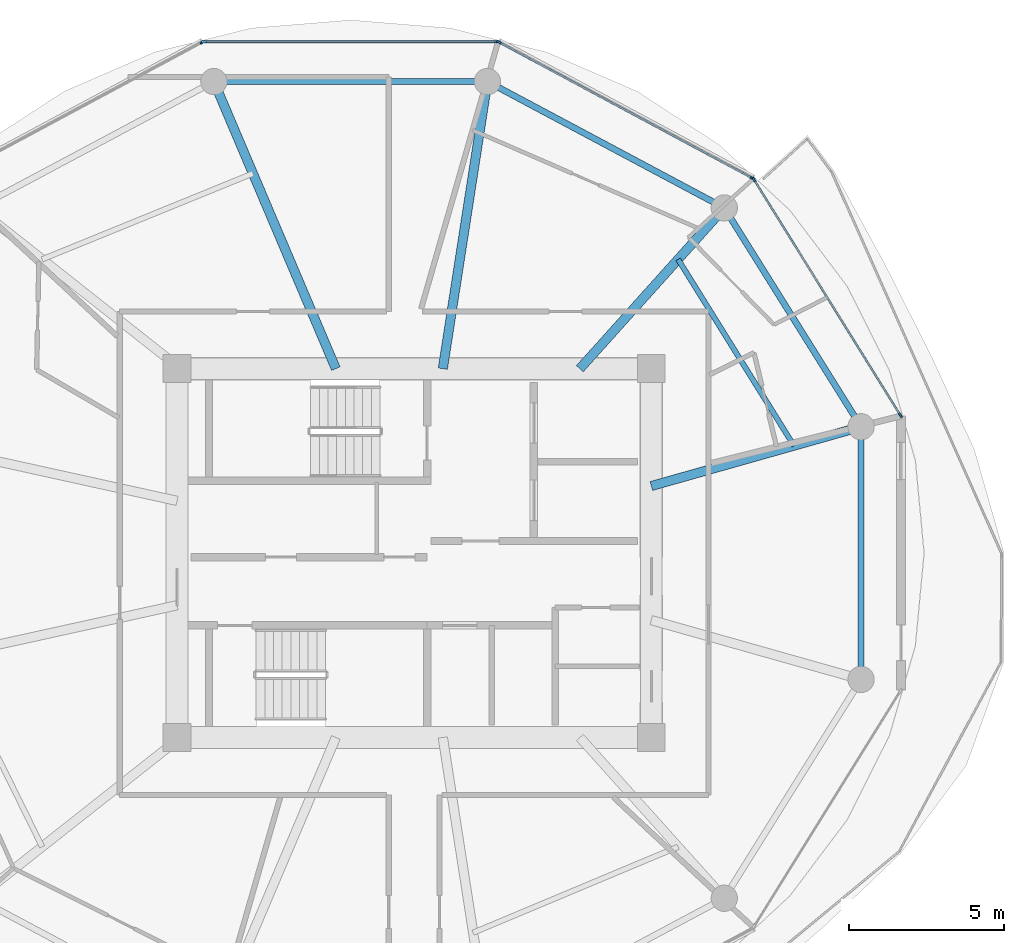
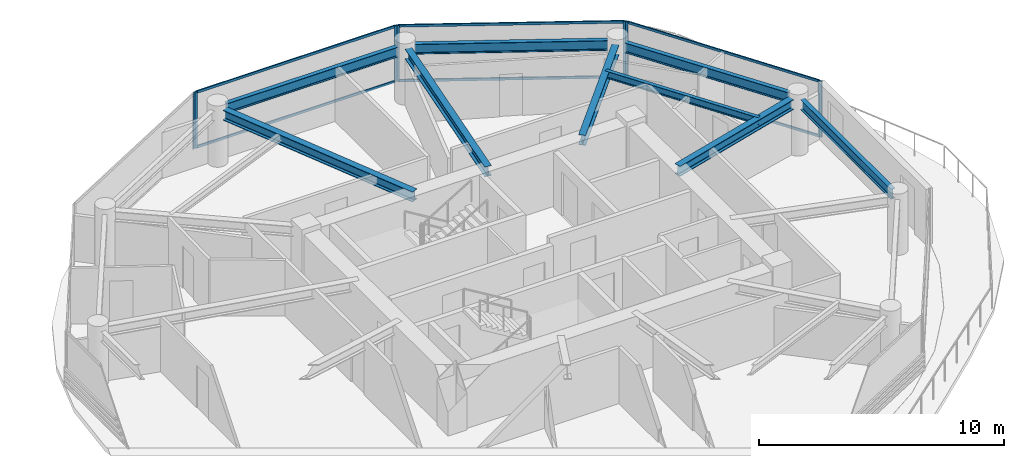
# One storey, part 11 of 22: 13 members, 9 beams, 4 elements without a shape of their own.
"""IFC4 building model written with IfcOpenShell, lengths in metres."""

from ifc_helpers import new_model, si_unit, direction, frame, origin, origin_2d, place, context, subcontext, project, spatial, rectangle, i_section, extrude, source, transform, mapped, material, layer, layer_set, material_profile, profile_set, type_object, type_shapes, element, aggregate, save


model = new_model("IFC4")

# Units and contexts
model_context = context("Model", 3, precision=1e-05, world=origin(), true_north=direction((0.0, 1.0)))
body_context = subcontext(model_context, "Body", "Model", "MODEL_VIEW")
ifc_project = project(units=[si_unit("LENGTHUNIT", "METRE"), si_unit("AREAUNIT", "SQUARE_METRE"), si_unit("VOLUMEUNIT", "CUBIC_METRE"), si_unit("PLANEANGLEUNIT", "RADIAN"), si_unit("MASSUNIT", "GRAM", prefix="KILO")], contexts=[model_context])

# Site, building, storey
site_placement = place(None, origin())
site = spatial("IfcSite", under=ifc_project, at=site_placement, CompositionType="ELEMENT")
building_placement = place(site_placement, origin())
building = spatial("IfcBuilding", under=site, at=building_placement, Name="Norrkilde Senior Care Towers", CompositionType="ELEMENT")
storey_placement = place(building_placement, frame((0.0, 0.0, 96.25)))
storey = spatial("IfcBuildingStorey", under=building, at=storey_placement, Name="L29", CompositionType="ELEMENT", Elevation=96.25)

# Beams
ifc_material_1 = material(Name="Steel S355", Category="steel")
ifc_material_profile_1 = material_profile(ifc_material_1, i_section(OverallWidth=0.199951171875, OverallDepth=0.5, WebThickness=0.01025390625, FlangeThickness=0.01611328125, FilletRadius=0.02099609375, at=origin_2d()), Name="IPE 500")
ifc_profile_set_1 = profile_set([ifc_material_profile_1], Name="Steel S355")
beam_type_1 = type_object("IfcBeamType", Name="Perimeter Ring Spandrel Z2 IPE500", PredefinedType="SPANDREL", material=ifc_profile_set_1)
shared_shape_1 = source(origin(), body_context, "Body", "SweptSolid", [
    extrude(i_section(OverallWidth=0.199951171875, OverallDepth=0.5, WebThickness=0.01025390625, FlangeThickness=0.01611328125, FilletRadius=0.02099609375, at=origin_2d()), origin(), (0.0, 0.0, 1.0), 7.892333984375),
])
beam_1_placement = place(storey_placement, frame((37.66650390625, 11.318115234375, 2.5400390625), z_axis=(-0.882350372282, 0.47059305194, 0.0), x_axis=(-0.47059305194, -0.882350372282, 0.0)))
element("IfcBeam", 1, at=beam_1_placement, inside=storey, type_object=beam_type_1, Name="L29 Drum E Perimeter Spandrel 02", PredefinedType="SPANDREL", context=body_context, shape_type="MappedRepresentation", body=[
    mapped(shared_shape_1, transform((0.0, 0.0, 0.0), x_axis=(1.0, 0.0, 0.0), y_axis=(0.0, 1.0, 0.0), z_axis=(0.0, 0.0, 1.0), scale=1.0)),
])
shared_shape_2 = source(origin(), body_context, "Body", "SweptSolid", [
    extrude(i_section(OverallWidth=0.199951171875, OverallDepth=0.5, WebThickness=0.01025390625, FlangeThickness=0.01611328125, FilletRadius=0.02099609375, at=origin_2d()), origin(), (0.0, 0.0, 1.0), 8.0556640625),
])
beam_2_placement = place(storey_placement, frame((29.977783203125, 15.21337890625, 2.5400390625), z_axis=(-1.0, 0.0, 0.0), x_axis=(0.0, -1.0, 0.0)))
element("IfcBeam", 2, at=beam_2_placement, inside=storey, type_object=beam_type_1, Name="L29 Drum E Perimeter Spandrel 03", PredefinedType="SPANDREL", context=body_context, shape_type="MappedRepresentation", body=[
    mapped(shared_shape_2, transform((0.0, 0.0, 0.0), x_axis=(1.0, 0.0, 0.0), y_axis=(0.0, 1.0, 0.0), z_axis=(0.0, 0.0, 1.0), scale=1.0)),
])
ifc_material_profile_2 = material_profile(ifc_material_1, i_section(OverallWidth=0.300048828125, OverallDepth=0.5, WebThickness=0.014404296875, FlangeThickness=0.028076171875, FilletRadius=0.027099609375, at=origin_2d()), Name="HEB 500")
ifc_profile_set_2 = profile_set([ifc_material_profile_2], Name="Steel S355")
beam_type_2 = type_object("IfcBeamType", Name="Radial Floor Beam Z2 HEB500", PredefinedType="BEAM", material=ifc_profile_set_2)
shared_shape_3 = source(origin(), body_context, "Body", "SweptSolid", [
    extrude(i_section(OverallWidth=0.300048828125, OverallDepth=0.5, WebThickness=0.014404296875, FlangeThickness=0.028076171875, FilletRadius=0.027099609375, at=origin_2d()), origin(), (0.0, 0.0, 1.0), 9.679443359375),
])
beam_3_placement = place(storey_placement, frame((25.472412109375, 5.949951171875, 2.5400390625), z_axis=(-0.390998033479, 0.920391513333, 0.0), x_axis=(-0.920391513333, -0.390998033479, 0.0)))
element("IfcBeam", 3, at=beam_3_placement, inside=storey, type_object=beam_type_2, Name="L29 Drum E Radial Floor Beam 04", PredefinedType="BEAM", context=body_context, shape_type="MappedRepresentation", body=[
    mapped(shared_shape_3, transform((0.0, 0.0, 0.0), x_axis=(1.0, 0.0, 0.0), y_axis=(0.0, 1.0, 0.0), z_axis=(0.0, 0.0, 1.0), scale=1.0)),
])
shared_shape_4 = source(origin(), body_context, "Body", "SweptSolid", [
    extrude(i_section(OverallWidth=0.300048828125, OverallDepth=0.5, WebThickness=0.014404296875, FlangeThickness=0.028076171875, FilletRadius=0.027099609375, at=origin_2d()), origin(), (0.0, 0.0, 1.0), 8.989501953125),
])
beam_4_placement = place(storey_placement, frame((28.924072265625, 5.949951171875, 2.5400390625), z_axis=(0.153471298636, 0.988153105796, 0.0), x_axis=(-0.988153105796, 0.153471298636, 0.0)))
element("IfcBeam", 4, at=beam_4_placement, inside=storey, type_object=beam_type_2, Name="L29 Drum E Radial Floor Beam 03", PredefinedType="BEAM", context=body_context, shape_type="MappedRepresentation", body=[
    mapped(shared_shape_4, transform((0.0, 0.0, 0.0), x_axis=(1.0, 0.0, 0.0), y_axis=(0.0, 1.0, 0.0), z_axis=(0.0, 0.0, 1.0), scale=1.0)),
])
shared_shape_5 = source(origin(), body_context, "Body", "SweptSolid", [
    extrude(i_section(OverallWidth=0.199951171875, OverallDepth=0.5, WebThickness=0.01025390625, FlangeThickness=0.01611328125, FilletRadius=0.02099609375, at=origin_2d()), origin(), (0.0, 0.0, 1.0), 7.556396484375),
])
beam_5_placement = place(storey_placement, frame((42.215087890625, 4.40283203125, 2.5400390625), z_axis=(-0.530004748437, 0.847994673706, 0.0), x_axis=(-0.847994673706, -0.530004748437, 0.0)))
element("IfcBeam", 5, at=beam_5_placement, inside=storey, type_object=beam_type_1, Name="L29 Drum E Perimeter Spandrel 01", PredefinedType="SPANDREL", context=body_context, shape_type="MappedRepresentation", body=[
    mapped(shared_shape_5, transform((0.0, 0.0, 0.0), x_axis=(1.0, 0.0, 0.0), y_axis=(0.0, 1.0, 0.0), z_axis=(0.0, 0.0, 1.0), scale=1.0)),
])
shared_shape_6 = source(origin(), body_context, "Body", "SweptSolid", [
    extrude(i_section(OverallWidth=0.300048828125, OverallDepth=0.5, WebThickness=0.014404296875, FlangeThickness=0.028076171875, FilletRadius=0.027099609375, at=origin_2d()), origin(), (0.0, 0.0, 1.0), 6.587890625),
])
beam_6_placement = place(storey_placement, frame((33.345947265625, 5.949951171875, 2.5400390625), z_axis=(0.668315438605, 0.743877997068, 0.0), x_axis=(-0.743877997068, 0.668315438605, 0.0)))
element("IfcBeam", 6, at=beam_6_placement, inside=storey, type_object=beam_type_2, Name="L29 Drum E Radial Floor Beam 02", PredefinedType="BEAM", context=body_context, shape_type="MappedRepresentation", body=[
    mapped(shared_shape_6, transform((0.0, 0.0, 0.0), x_axis=(1.0, 0.0, 0.0), y_axis=(0.0, 1.0, 0.0), z_axis=(0.0, 0.0, 1.0), scale=1.0)),
])
shared_shape_7 = source(origin(), body_context, "Body", "SweptSolid", [
    extrude(i_section(OverallWidth=0.199951171875, OverallDepth=0.5, WebThickness=0.01025390625, FlangeThickness=0.01611328125, FilletRadius=0.02099609375, at=origin_2d()), origin(), (0.0, 0.0, 1.0), 7.3828125),
])
type_shapes(beam_type_1, [shared_shape_1, shared_shape_2, shared_shape_5, shared_shape_7])
beam_7_placement = place(storey_placement, frame((42.4189453125, -3.69140625, 2.5400390625), z_axis=(0.0, 1.0, 0.0), x_axis=(-1.0, 0.0, 0.0)))
element("IfcBeam", 7, at=beam_7_placement, inside=storey, type_object=beam_type_1, Name="L29 Drum E Perimeter Spandrel 12", PredefinedType="SPANDREL", context=body_context, shape_type="MappedRepresentation", body=[
    mapped(shared_shape_7, transform((0.0, 0.0, 0.0), x_axis=(1.0, 0.0, 0.0), y_axis=(0.0, 1.0, 0.0), z_axis=(0.0, 0.0, 1.0), scale=1.0)),
])
shared_shape_8 = source(origin(), body_context, "Body", "SweptSolid", [
    extrude(i_section(OverallWidth=0.300048828125, OverallDepth=0.5, WebThickness=0.014404296875, FlangeThickness=0.028076171875, FilletRadius=0.027099609375, at=origin_2d()), origin(), (0.0, 0.0, 1.0), 6.6494140625),
])
type_shapes(beam_type_2, [shared_shape_3, shared_shape_4, shared_shape_6, shared_shape_8])
beam_8_placement = place(storey_placement, frame((35.64990234375, 2.162841796875, 2.5400390625), z_axis=(0.962289138357, 0.27202870106, 0.0), x_axis=(-0.27202870106, 0.962289138357, 0.0)))
element("IfcBeam", 8, at=beam_8_placement, inside=storey, type_object=beam_type_2, Name="L29 Drum E Radial Floor Beam 01", PredefinedType="BEAM", context=body_context, shape_type="MappedRepresentation", body=[
    mapped(shared_shape_8, transform((0.0, 0.0, 0.0), x_axis=(1.0, 0.0, 0.0), y_axis=(0.0, 1.0, 0.0), z_axis=(0.0, 0.0, 1.0), scale=1.0)),
])
ifc_material_profile_3 = material_profile(ifc_material_1, i_section(OverallWidth=0.169921875, OverallDepth=0.360107421875, WebThickness=0.008056640625, FlangeThickness=0.0126953125, FilletRadius=0.01806640625, at=origin_2d()), Name="IPE 360")
ifc_profile_set_3 = profile_set([ifc_material_profile_3], Name="Steel S355")
beam_type_3 = type_object("IfcBeamType", Name="Secondary Floor Joist IPE360", PredefinedType="JOIST", material=ifc_profile_set_3)
shared_shape_9 = source(origin(), body_context, "Body", "SweptSolid", [
    extrude(i_section(OverallWidth=0.169921875, OverallDepth=0.360107421875, WebThickness=0.008056640625, FlangeThickness=0.0126953125, FilletRadius=0.01806640625, at=origin_2d()), origin(), (0.0, 0.0, 1.0), 7.080078125),
])
type_shapes(beam_type_3, [shared_shape_9])
beam_9_placement = place(storey_placement, frame((40.2529296875, 3.464111328125, 2.610107421875), z_axis=(-0.527961009189, 0.849268610497, 0.0), x_axis=(-0.849268610497, -0.527961009189, 0.0)))
element("IfcBeam", 9, at=beam_9_placement, inside=storey, type_object=beam_type_3, Name="L29 Drum E Secondary Floor Joist 1", PredefinedType="JOIST", context=body_context, shape_type="MappedRepresentation", body=[
    mapped(shared_shape_9, transform((0.0, 0.0, 0.0), x_axis=(1.0, 0.0, 0.0), y_axis=(0.0, 1.0, 0.0), z_axis=(0.0, 0.0, 1.0), scale=1.0)),
])

# Curtain wall, members
ifc_material_2 = material(Name="Triple Low-E Insulated Glazing", Category="glass")
ifc_layer = layer(ifc_material_2, 0.195068359375)
ifc_layer_set = layer_set([ifc_layer], Name="Triple Low-E Insulated Glazing")
curtain_wall_type = type_object("IfcCurtainWallType", Name="CW3 Zone 2 Assisted Living Curtain Wall", PredefinedType="NOTDEFINED", material=ifc_layer_set)
curtain_wall_1_placement = place(storey_placement, origin())
curtain_wall_1 = element("IfcCurtainWall", 10, at=curtain_wall_1_placement, inside=storey, type_object=curtain_wall_type, Name="L29 Drum E Curtain Wall 00", PredefinedType="NOTDEFINED")
ifc_material_3 = material(Name="Anodised Aluminium", Category="aluminium")
ifc_material_profile_4 = material_profile(ifc_material_3, rectangle(XDim=0.06494140625, YDim=0.159912109375, at=origin_2d()), Name="ALU MULL 65x160")
ifc_profile_set_4 = profile_set([ifc_material_profile_4], Name="Anodised Aluminium")
member_type_1 = type_object("IfcMemberType", Name="Curtain Wall Mullion Z1-Z2 65x160", PredefinedType="MULLION", material=ifc_profile_set_4)
shared_shape_10 = source(origin(), body_context, "Body", "SweptSolid", [
    extrude(rectangle(XDim=0.06494140625, YDim=0.159912109375, at=origin_2d()), origin(), (0.0, 0.0, 1.0), 2.7900390625),
])
type_shapes(member_type_1, [shared_shape_10])
member_1_placement = place(storey_placement, frame((38.9638671875, 12.0498046875, 0.0), z_axis=(0.0, 0.0, 1.0), x_axis=(0.849410171862, 0.527733228002, 0.0)))
member_1 = element("IfcMember", 11, at=member_1_placement, type_object=member_type_1, Name="CW-3 mullion 1", PredefinedType="MULLION", context=body_context, shape_type="MappedRepresentation", body=[
    mapped(shared_shape_10, transform((0.0, 0.0, 0.0), x_axis=(1.0, 0.0, 0.0), y_axis=(0.0, 1.0, 0.0), z_axis=(0.0, 0.0, 1.0), scale=1.0)),
])
member_2_placement = place(storey_placement, frame((43.6865234375, 4.4482421875, 0.0), z_axis=(0.0, 0.0, 1.0), x_axis=(0.849410171862, 0.527733228002, 0.0)))
member_2 = element("IfcMember", 12, at=member_2_placement, type_object=member_type_1, Name="CW-3 mullion 2", PredefinedType="MULLION", context=body_context, shape_type="MappedRepresentation", body=[
    mapped(shared_shape_10, transform((0.0, 0.0, 0.0), x_axis=(1.0, 0.0, 0.0), y_axis=(0.0, 1.0, 0.0), z_axis=(0.0, 0.0, 1.0), scale=1.0)),
])

curtain_wall_2_placement = place(storey_placement, origin())
curtain_wall_2 = element("IfcCurtainWall", 13, at=curtain_wall_2_placement, inside=storey, type_object=curtain_wall_type, Name="L29 Drum E Curtain Wall 01", PredefinedType="NOTDEFINED")
member_3_placement = place(storey_placement, frame((30.73583984375, 16.482666015625, 0.0), z_axis=(0.0, 0.0, 1.0), x_axis=(0.472769402511, 0.881186184668, 0.0)))
member_3 = element("IfcMember", 14, at=member_3_placement, type_object=member_type_1, Name="CW-3 mullion 1", PredefinedType="MULLION", context=body_context, shape_type="MappedRepresentation", body=[
    mapped(shared_shape_10, transform((0.0, 0.0, 0.0), x_axis=(1.0, 0.0, 0.0), y_axis=(0.0, 1.0, 0.0), z_axis=(0.0, 0.0, 1.0), scale=1.0)),
])
member_4_placement = place(storey_placement, frame((38.91796875, 12.0927734375, 0.0), z_axis=(0.0, 0.0, 1.0), x_axis=(0.472769402511, 0.881186184668, 0.0)))
member_4 = element("IfcMember", 15, at=member_4_placement, type_object=member_type_1, Name="CW-3 mullion 2", PredefinedType="MULLION", context=body_context, shape_type="MappedRepresentation", body=[
    mapped(shared_shape_10, transform((0.0, 0.0, 0.0), x_axis=(1.0, 0.0, 0.0), y_axis=(0.0, 1.0, 0.0), z_axis=(0.0, 0.0, 1.0), scale=1.0)),
])

curtain_wall_3_placement = place(storey_placement, origin())
curtain_wall_3 = element("IfcCurtainWall", 16, at=curtain_wall_3_placement, inside=storey, type_object=curtain_wall_type, Name="L29 Drum E Curtain Wall 02", PredefinedType="NOTDEFINED")
member_5_placement = place(storey_placement, frame((21.225341796875, 16.498046875, 0.0), z_axis=(0.0, 0.0, 1.0), x_axis=(0.0, 1.0, 0.0)))
member_5 = element("IfcMember", 17, at=member_5_placement, type_object=member_type_1, Name="CW-3 mullion 1", PredefinedType="MULLION", context=body_context, shape_type="MappedRepresentation", body=[
    mapped(shared_shape_10, transform((0.0, 0.0, 0.0), x_axis=(1.0, 0.0, 0.0), y_axis=(0.0, 1.0, 0.0), z_axis=(0.0, 0.0, 1.0), scale=1.0)),
])
member_6_placement = place(storey_placement, frame((30.674560546875, 16.498046875, 0.0), z_axis=(0.0, 0.0, 1.0), x_axis=(0.0, 1.0, 0.0)))
member_6 = element("IfcMember", 18, at=member_6_placement, type_object=member_type_1, Name="CW-3 mullion 2", PredefinedType="MULLION", context=body_context, shape_type="MappedRepresentation", body=[
    mapped(shared_shape_10, transform((0.0, 0.0, 0.0), x_axis=(1.0, 0.0, 0.0), y_axis=(0.0, 1.0, 0.0), z_axis=(0.0, 0.0, 1.0), scale=1.0)),
])

# Curtain wall, member
curtain_wall_4_placement = place(storey_placement, origin())
curtain_wall_4 = element("IfcCurtainWall", 19, at=curtain_wall_4_placement, inside=storey, type_object=curtain_wall_type, Name="L29 Drum E Curtain Wall 03", PredefinedType="NOTDEFINED")
member_7_placement = place(storey_placement, frame((21.164306640625, 16.482666015625, 0.0), z_axis=(0.0, 0.0, 1.0), x_axis=(-0.472769402511, 0.881186184668, 0.0)))
member_7 = element("IfcMember", 20, at=member_7_placement, type_object=member_type_1, Name="CW-3 mullion 2", PredefinedType="MULLION", context=body_context, shape_type="MappedRepresentation", body=[
    mapped(shared_shape_10, transform((0.0, 0.0, 0.0), x_axis=(1.0, 0.0, 0.0), y_axis=(0.0, 1.0, 0.0), z_axis=(0.0, 0.0, 1.0), scale=1.0)),
])
aggregate(curtain_wall_4, [member_7])

# Member
ifc_material_profile_5 = material_profile(ifc_material_3, rectangle(XDim=0.06005859375, YDim=0.1201171875, at=origin_2d()), Name="ALU TRAN 60x120")
ifc_profile_set_5 = profile_set([ifc_material_profile_5], Name="Anodised Aluminium")
member_type_2 = type_object("IfcMemberType", Name="Curtain Wall Transom Typical 60x120", PredefinedType="USERDEFINED", material=ifc_profile_set_5)
shared_shape_11 = source(origin(), body_context, "Body", "SweptSolid", [
    extrude(rectangle(XDim=0.06005859375, YDim=0.1201171875, at=origin_2d()), origin(), (0.0, 0.0, 1.0), 8.88427734375),
])
member_8_placement = place(storey_placement, frame((38.98095703125, 12.022216796875, 0.030029296875), z_axis=(0.527729466743, -0.849412508697, 0.0), x_axis=(0.849412508697, 0.527729466743, 0.0)))
member_8 = element("IfcMember", 21, at=member_8_placement, type_object=member_type_2, Name="CW-3 transom 1.1", ObjectType="TRANSOM", PredefinedType="USERDEFINED", context=body_context, shape_type="MappedRepresentation", body=[
    mapped(shared_shape_11, transform((0.0, 0.0, 0.0), x_axis=(1.0, 0.0, 0.0), y_axis=(0.0, 1.0, 0.0), z_axis=(0.0, 0.0, 1.0), scale=1.0)),
])

member_9_placement = place(storey_placement, frame((38.98095703125, 12.022216796875, 2.760009765625), z_axis=(0.527729466743, -0.849412508697, 0.0), x_axis=(0.849412508697, 0.527729466743, 0.0)))
member_9 = element("IfcMember", 22, at=member_9_placement, type_object=member_type_2, Name="CW-3 transom 1.2", ObjectType="TRANSOM", PredefinedType="USERDEFINED", context=body_context, shape_type="MappedRepresentation", body=[
    mapped(shared_shape_11, transform((0.0, 0.0, 0.0), x_axis=(1.0, 0.0, 0.0), y_axis=(0.0, 1.0, 0.0), z_axis=(0.0, 0.0, 1.0), scale=1.0)),
])

aggregate(curtain_wall_1, [member_1, member_2, member_8, member_9])

shared_shape_12 = source(origin(), body_context, "Body", "SweptSolid", [
    extrude(rectangle(XDim=0.06005859375, YDim=0.1201171875, at=origin_2d()), origin(), (0.0, 0.0, 1.0), 9.220458984375),
])
member_10_placement = place(storey_placement, frame((30.764404296875, 16.46728515625, 0.030029296875), z_axis=(0.881188517866, -0.472765053681, 0.0), x_axis=(0.472765053681, 0.881188517866, 0.0)))
member_10 = element("IfcMember", 23, at=member_10_placement, type_object=member_type_2, Name="CW-3 transom 1.1", ObjectType="TRANSOM", PredefinedType="USERDEFINED", context=body_context, shape_type="MappedRepresentation", body=[
    mapped(shared_shape_12, transform((0.0, 0.0, 0.0), x_axis=(1.0, 0.0, 0.0), y_axis=(0.0, 1.0, 0.0), z_axis=(0.0, 0.0, 1.0), scale=1.0)),
])

member_11_placement = place(storey_placement, frame((30.764404296875, 16.46728515625, 2.760009765625), z_axis=(0.881188517866, -0.472765053681, 0.0), x_axis=(0.472765053681, 0.881188517866, 0.0)))
member_11 = element("IfcMember", 24, at=member_11_placement, type_object=member_type_2, Name="CW-3 transom 1.2", ObjectType="TRANSOM", PredefinedType="USERDEFINED", context=body_context, shape_type="MappedRepresentation", body=[
    mapped(shared_shape_12, transform((0.0, 0.0, 0.0), x_axis=(1.0, 0.0, 0.0), y_axis=(0.0, 1.0, 0.0), z_axis=(0.0, 0.0, 1.0), scale=1.0)),
])

aggregate(curtain_wall_2, [member_3, member_4, member_10, member_11])

shared_shape_13 = source(origin(), body_context, "Body", "SweptSolid", [
    extrude(rectangle(XDim=0.06005859375, YDim=0.1201171875, at=origin_2d()), origin(), (0.0, 0.0, 1.0), 9.38427734375),
])
type_shapes(member_type_2, [shared_shape_11, shared_shape_12, shared_shape_13])
member_12_placement = place(storey_placement, frame((21.2578125, 16.498046875, 0.030029296875), z_axis=(1.0, 0.0, 0.0), x_axis=(0.0, 1.0, 0.0)))
member_12 = element("IfcMember", 25, at=member_12_placement, type_object=member_type_2, Name="CW-3 transom 1.1", ObjectType="TRANSOM", PredefinedType="USERDEFINED", context=body_context, shape_type="MappedRepresentation", body=[
    mapped(shared_shape_13, transform((0.0, 0.0, 0.0), x_axis=(1.0, 0.0, 0.0), y_axis=(0.0, 1.0, 0.0), z_axis=(0.0, 0.0, 1.0), scale=1.0)),
])

member_13_placement = place(storey_placement, frame((21.2578125, 16.498046875, 2.760009765625), z_axis=(1.0, 0.0, 0.0), x_axis=(0.0, 1.0, 0.0)))
member_13 = element("IfcMember", 26, at=member_13_placement, type_object=member_type_2, Name="CW-3 transom 1.2", ObjectType="TRANSOM", PredefinedType="USERDEFINED", context=body_context, shape_type="MappedRepresentation", body=[
    mapped(shared_shape_13, transform((0.0, 0.0, 0.0), x_axis=(1.0, 0.0, 0.0), y_axis=(0.0, 1.0, 0.0), z_axis=(0.0, 0.0, 1.0), scale=1.0)),
])

aggregate(curtain_wall_3, [member_5, member_6, member_12, member_13])

save(model, "model.ifc")
